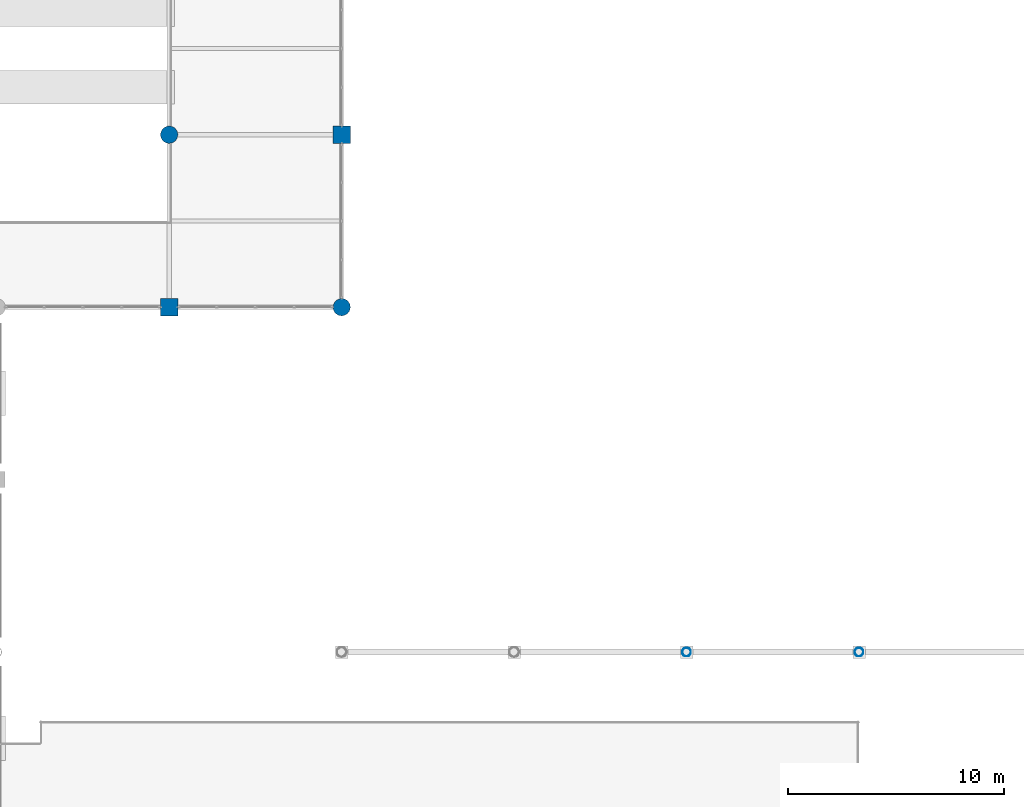
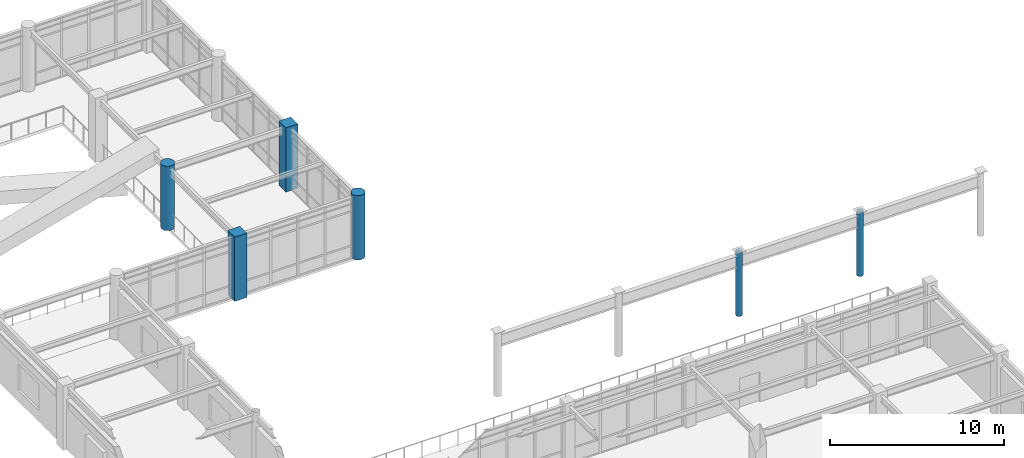
# One storey, part 5 of 78: 6 columns.
"""IFC4 building model written with IfcOpenShell, lengths in metres."""

import ifcopenshell
import ifcopenshell.guid

model = None  # the IFC model being written
_history = None  # IfcOwnerHistory: only IFC2X3 demands one
_inside = {}  # id of a spatial element -> (the spatial element, [elements in it])
_under = {}  # id of a project, library or spatial element -> (it, [spatial elements below it])
_declared = {}  # id of a project -> (the project, [libraries it declares])
_typed = {}  # id of a type object -> (the type object, [elements of that type])
_made_of = {}  # id of a material, layer set ... -> (it, [elements and type objects made of it])


def new_model(schema):
    """Start an empty IFC model of exactly this schema.

    Asked for "IFC4X3", IfcOpenShell would pick the latest addendum, in which some entities
    have other attributes; the version numbers below select the first issue.
    IFC2X3 requires an IfcOwnerHistory on every rooted entity: one is made here for all.
    """
    global model, _history
    if schema == "IFC4X3":
        model = ifcopenshell.file(schema_version=(4, 3, 0, 0))
    else:
        model = ifcopenshell.file(schema=schema)
    _inside.clear()
    _under.clear()
    _declared.clear()
    _typed.clear()
    _made_of.clear()
    _history = None
    if model.schema == "IFC2X3":
        org = make("IfcOrganization", Name="unknown")
        user = make(
            "IfcPersonAndOrganization",
            ThePerson=make("IfcPerson", FamilyName="unknown"),
            TheOrganization=org,
        )
        app = make(
            "IfcApplication",
            ApplicationDeveloper=org,
            Version="unknown",
            ApplicationFullName="unknown",
            ApplicationIdentifier="unknown",
        )
        _history = make(
            "IfcOwnerHistory",
            OwningUser=user,
            OwningApplication=app,
            ChangeAction="ADDED",
            CreationDate=0,
        )
    return model


def make(cls, **values):
    """One entity of the class cls with the attributes given. An attribute that is None is left unset."""
    return model.create_entity(
        cls, **{name: value for name, value in values.items() if value is not None}
    )


def rooted(cls, **values):
    """An entity with a GlobalId (a new one), such as an element, a storey or a relation."""
    return make(cls, GlobalId=ifcopenshell.guid.new(), OwnerHistory=_history, **values)


def si_unit(unit_type, name, prefix=None):
    """IfcSIUnit, for example si_unit("LENGTHUNIT", "METRE", prefix="MILLI")."""
    return make("IfcSIUnit", UnitType=unit_type, Prefix=prefix, Name=name)


def assignment(units):
    """IfcUnitAssignment: the units of a project."""
    return None if units is None else make("IfcUnitAssignment", Units=units)


def point(xyz):
    """IfcCartesianPoint."""
    return None if xyz is None else make("IfcCartesianPoint", Coordinates=xyz)


def direction(xyz):
    """IfcDirection."""
    return None if xyz is None else make("IfcDirection", DirectionRatios=xyz)


def frame(location, z_axis=None, x_axis=None):
    """IfcAxis2Placement3D, a coordinate frame: its origin and axes. An axis left out is left unset."""
    return make(
        "IfcAxis2Placement3D",
        Location=point(location),
        Axis=direction(z_axis),
        RefDirection=direction(x_axis),
    )


def frame_2d(location, x_axis=None):
    """IfcAxis2Placement2D, a coordinate frame in the plane: its origin and x axis."""
    return make(
        "IfcAxis2Placement2D", Location=point(location), RefDirection=direction(x_axis)
    )


def origin():
    """The frame at (0, 0, 0) with its axes left unset."""
    return frame((0.0, 0.0, 0.0))


def origin_2d():
    """The frame at (0, 0) in the plane with its x axis left unset."""
    return frame_2d((0.0, 0.0))


def place(relative_to, where):
    """IfcLocalPlacement: puts the frame where relative to a parent placement (None: the world)."""
    return make(
        "IfcLocalPlacement", PlacementRelTo=relative_to, RelativePlacement=where
    )


def context(
    kind, dimensions, precision=None, world=None, true_north=None, identifier=None
):
    """IfcGeometricRepresentationContext, for example the 3D "Model" context."""
    return make(
        "IfcGeometricRepresentationContext",
        ContextIdentifier=identifier,
        ContextType=kind,
        CoordinateSpaceDimension=dimensions,
        Precision=precision,
        WorldCoordinateSystem=world,
        TrueNorth=true_north,
    )


def subcontext(parent, identifier, kind, view, scale=None):
    """IfcGeometricRepresentationSubContext, for example "Body" below "Model"."""
    return make(
        "IfcGeometricRepresentationSubContext",
        ContextIdentifier=identifier,
        ContextType=kind,
        ParentContext=parent,
        TargetScale=scale,
        TargetView=view,
    )


def project(units=None, contexts=None):
    """IfcProject with its units and contexts."""
    return rooted(
        "IfcProject",
        Name="project",
        RepresentationContexts=contexts,
        UnitsInContext=assignment(units),
    )


def spatial(cls, under=None, at=None, **own):
    """A site, building, storey or space (cls), placed at a placement, below another one or the project."""
    s = rooted(cls, ObjectPlacement=at, **own)
    if under is not None:
        _under.setdefault(under.id(), (under, []))[1].append(s)
    return s


def profile(cls, at=None, kind="AREA", **sizes):
    """A parametric profile (cls). Its sizes go by their IFC names, for example OverallWidth=200.0."""
    return make(cls, ProfileType=kind, Position=at, **sizes)


def rectangle(**sizes):
    """IfcRectangleProfileDef."""
    return profile("IfcRectangleProfileDef", **sizes)


def circle(**sizes):
    """IfcCircleProfileDef."""
    return profile("IfcCircleProfileDef", **sizes)


def hollow_circle(**sizes):
    """IfcCircleHollowProfileDef."""
    return profile("IfcCircleHollowProfileDef", **sizes)


def extrude(swept, where, along, depth):
    """IfcExtrudedAreaSolid: the profile swept, set in the frame where, extruded along a direction by depth."""
    return make(
        "IfcExtrudedAreaSolid",
        SweptArea=swept,
        Position=where,
        ExtrudedDirection=direction(along),
        Depth=depth,
    )


def shape(context_of_items, identifier, shape_type, items):
    """IfcShapeRepresentation: the items that make up one representation, for example the "Body"."""
    return make(
        "IfcShapeRepresentation",
        ContextOfItems=context_of_items,
        RepresentationIdentifier=identifier,
        RepresentationType=shape_type,
        Items=items,
    )


def material(Name=None, Category=None):
    """IfcMaterial."""
    return make("IfcMaterial", Name=Name, Category=Category)


def material_profile(
    of_material, cross_section, Name=None, Category=None, Priority=None
):
    """IfcMaterialProfile: a cross section and its material."""
    return make(
        "IfcMaterialProfile",
        Name=Name,
        Material=of_material,
        Profile=cross_section,
        Priority=Priority,
        Category=Category,
    )


def profile_set(profiles, Name=None, composite=None):
    """IfcMaterialProfileSet."""
    return make(
        "IfcMaterialProfileSet",
        Name=Name,
        MaterialProfiles=profiles,
        CompositeProfile=composite,
    )


def made_of(thing, what):
    """Note that an element or type object is made of a material, layer set ...; save() writes the relation."""
    if what is not None:
        _made_of.setdefault(what.id(), (what, []))[1].append(thing)
    return thing


def type_object(cls, material=None, **own):
    """A type object (cls), such as IfcWallType, which elements share."""
    return made_of(rooted(cls, **own), material)


def element(
    cls,
    number,
    at=None,
    inside=None,
    cuts=None,
    type_object=None,
    material=None,
    context=None,
    identifier="Body",
    shape_type=None,
    held_by="IfcProductDefinitionShape",
    body=None,
    shapes=None,
    **own,
):
    """One element of the class cls, such as IfcWall. Its Tag is "e" and its number.

    at: its placement. inside: the storey or other place that contains it. cuts: it is an
    opening in that element (IfcRelVoidsElement). A single representation is given by context,
    identifier, shape_type and body (its items); several are given by shapes. held_by: the class
    of the entity that holds the representations. save() writes the other relations.
    """
    e = rooted(cls, Tag="e%d" % number, ObjectPlacement=at, **own)
    if body is not None:
        shapes = [shape(context, identifier, shape_type, body)]
    if shapes is not None:
        e.Representation = make(held_by, Representations=shapes)
    if inside is not None:
        _inside.setdefault(inside.id(), (inside, []))[1].append(e)
    if cuts is not None:
        rooted(
            "IfcRelVoidsElement", RelatingBuildingElement=cuts, RelatedOpeningElement=e
        )
    if type_object is not None:
        _typed.setdefault(type_object.id(), (type_object, []))[1].append(e)
    return made_of(e, material)


def aggregate(whole, parts):
    """IfcRelAggregates: a whole, such as a stair, and the parts it consists of."""
    return rooted("IfcRelAggregates", RelatingObject=whole, RelatedObjects=parts)


def save(model, path):
    """Write the relations noted so far, then the file.

    IfcRelAggregates (storeys below a building ...), IfcRelContainedInSpatialStructure (elements
    in a storey), IfcRelDefinesByType, IfcRelAssociatesMaterial and IfcRelDeclares: one each for
    every whole, place, type object, material and project.
    """
    for whole, parts in _under.values():
        aggregate(whole, parts)
    for where, things in _inside.values():
        rooted(
            "IfcRelContainedInSpatialStructure",
            RelatedElements=things,
            RelatingStructure=where,
        )
    for kind, things in _typed.values():
        rooted("IfcRelDefinesByType", RelatedObjects=things, RelatingType=kind)
    for what, things in _made_of.values():
        rooted("IfcRelAssociatesMaterial", RelatedObjects=things, RelatingMaterial=what)
    for by, libraries in _declared.values():
        rooted("IfcRelDeclares", RelatingContext=by, RelatedDefinitions=libraries)
    model.write(path)


model = new_model("IFC4")

# Units and contexts
model_context = context("Model", 3, precision=1e-05, world=origin(), true_north=direction((0.0, 1.0)))
body_context = subcontext(model_context, "Body", "Model", "MODEL_VIEW")
ifc_project = project(units=[si_unit("LENGTHUNIT", "METRE"), si_unit("AREAUNIT", "SQUARE_METRE"), si_unit("VOLUMEUNIT", "CUBIC_METRE"), si_unit("PLANEANGLEUNIT", "RADIAN"), si_unit("MASSUNIT", "GRAM", prefix="KILO")], contexts=[model_context])

# Site, building, storey
site_placement = place(None, origin())
site = spatial("IfcSite", under=ifc_project, at=site_placement, CompositionType="ELEMENT")
building_placement = place(site_placement, origin())
building = spatial("IfcBuilding", under=site, at=building_placement, Name="Solmirada Galleria", CompositionType="ELEMENT")
storey_placement = place(building_placement, frame((0.0, 0.0, 23.89990234375)))
storey = spatial("IfcBuildingStorey", under=building, at=storey_placement, Name="L05", CompositionType="ELEMENT", Elevation=23.89990234375)

# Columns
ifc_material_1 = material(Name="Steel S355 / ASTM A500 Grade C", Category="steel")
ifc_material_profile_1 = material_profile(ifc_material_1, hollow_circle(Radius=0.202880859375, WallThickness=0.01171875, at=origin_2d()), Name="HSS16.000X0.500")
ifc_profile_set_1 = profile_set([ifc_material_profile_1], Name="Steel S355 / ASTM A500 Grade C")
column_type_1 = type_object("IfcColumnType", Name="COL-CHS16", PredefinedType="COLUMN", material=ifc_profile_set_1)
for number, where, z_axis, x_axis, name in (
    (1, (128.0, 32.0, 0.0), (0.0, 0.0, 1.0), (1.0, 0.0, 0.0), "Structural column L05-1040"),
    (2, (136.0, 32.0, 0.0), (0.0, 0.0, 1.0), (1.0, 0.0, 0.0), "Structural column L05-1141"),
):
    element("IfcColumn", number, at=place(storey_placement, frame(where, z_axis=z_axis, x_axis=x_axis)), inside=storey, type_object=column_type_1, Name=name, PredefinedType="COLUMN", context=body_context, shape_type="SweptSolid", body=[
        extrude(hollow_circle(Radius=0.202880859375, WallThickness=0.01171875, at=origin_2d()), origin(), (0.0, 0.0, 1.0), 4.5),
    ])
ifc_material_2 = material(Name="Concrete C40/50", Category="concrete")
ifc_material_profile_2 = material_profile(ifc_material_2, circle(Radius=0.39990234375, at=origin_2d()), Name="RCCOL800")
ifc_profile_set_2 = profile_set([ifc_material_profile_2], Name="Concrete C40/50")
column_type_2 = type_object("IfcColumnType", Name="COL-CIR800", PredefinedType="COLUMN", material=ifc_profile_set_2)
for number, where, z_axis, x_axis, name in (
    (3, (104.0, 56.0, 0.0), (0.0, 0.0, 1.0), (1.0, 0.0, 0.0), "Structural column L05-0748"),
    (4, (112.0, 48.0, 0.0), (0.0, 0.0, 1.0), (1.0, 0.0, 0.0), "Structural column L05-0851"),
):
    element("IfcColumn", number, at=place(storey_placement, frame(where, z_axis=z_axis, x_axis=x_axis)), inside=storey, type_object=column_type_2, Name=name, PredefinedType="COLUMN", context=body_context, shape_type="SweptSolid", body=[
        extrude(circle(Radius=0.39990234375, at=origin_2d()), origin(), (0.0, 0.0, 1.0), 4.5),
    ])
ifc_material_profile_3 = material_profile(ifc_material_2, rectangle(XDim=0.800048828125, YDim=0.800048828125, at=origin_2d()), Name="RC800X800")
ifc_profile_set_3 = profile_set([ifc_material_profile_3], Name="Concrete C40/50")
column_type_3 = type_object("IfcColumnType", Name="COL-RC800", PredefinedType="COLUMN", material=ifc_profile_set_3)
for number, where, z_axis, x_axis, name in (
    (5, (104.0, 48.0, 0.0), (0.0, 0.0, 1.0), (1.0, 0.0, 0.0), "Structural column L05-0739"),
    (6, (112.0, 56.0, 0.0), (0.0, 0.0, 1.0), (1.0, 0.0, 0.0), "Structural column L05-0860"),
):
    element("IfcColumn", number, at=place(storey_placement, frame(where, z_axis=z_axis, x_axis=x_axis)), inside=storey, type_object=column_type_3, Name=name, PredefinedType="COLUMN", context=body_context, shape_type="SweptSolid", body=[
        extrude(rectangle(XDim=0.800048828125, YDim=0.800048828125, at=origin_2d()), origin(), (0.0, 0.0, 1.0), 4.5),
    ])

save(model, "model.ifc")
